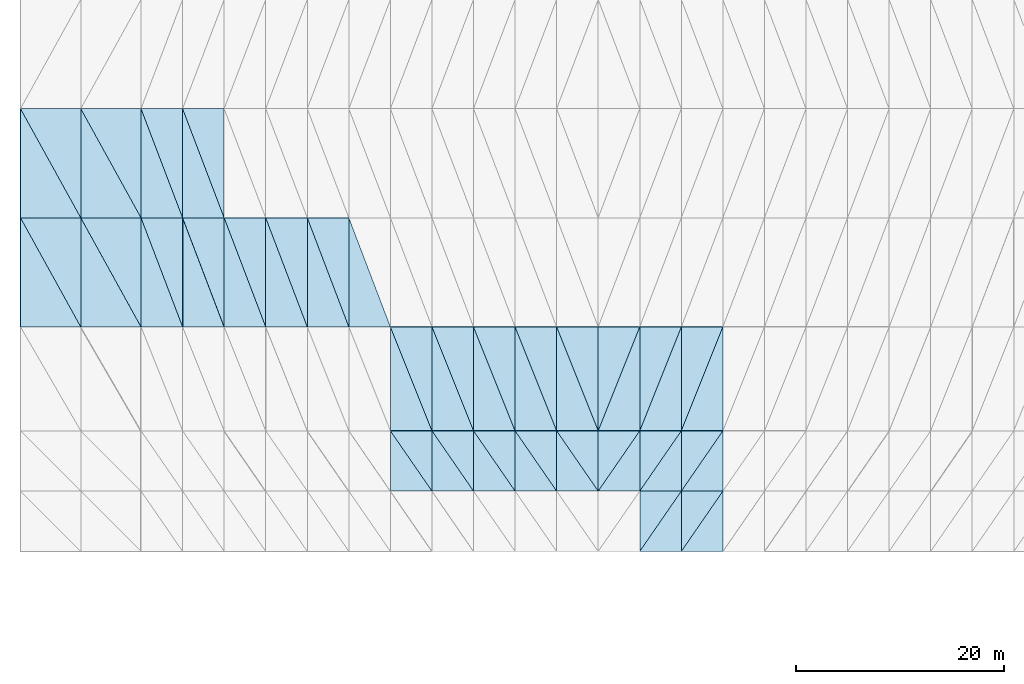
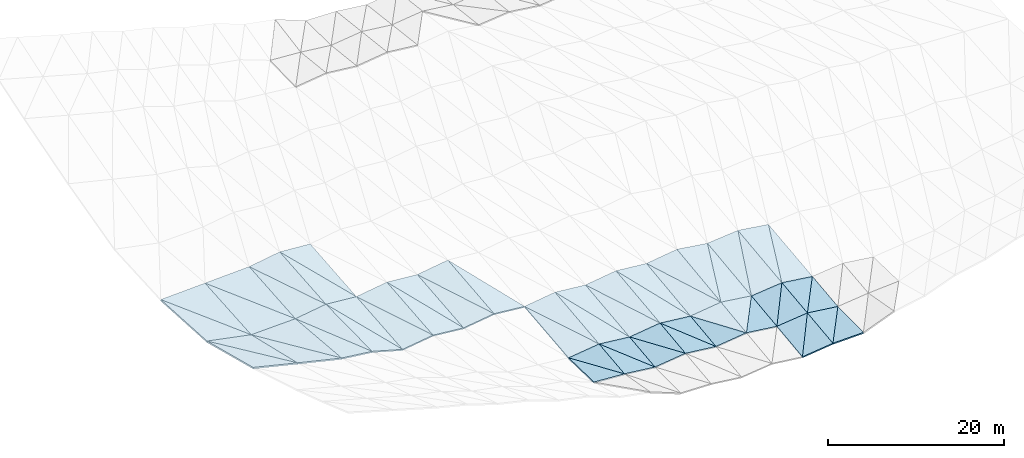
# One storey, part 25 of 42: 59 slabs, 3 elements without a shape of their own.
"""IFC4 building model written with IfcOpenShell, lengths in metres."""

from ifc_helpers import new_model, si_unit, direction, frame, origin, place, context, subcontext, project, spatial, polyline, outline, extrude, material, layer, layer_set, type_object, element, aggregate, save


model = new_model("IFC4")

# Units and contexts
model_context = context("Model", 3, precision=1e-05, world=origin(), true_north=direction((0.0, 1.0)))
body_context = subcontext(model_context, "Body", "Model", "MODEL_VIEW")
ifc_project = project(units=[si_unit("LENGTHUNIT", "METRE"), si_unit("AREAUNIT", "SQUARE_METRE"), si_unit("VOLUMEUNIT", "CUBIC_METRE"), si_unit("PLANEANGLEUNIT", "RADIAN"), si_unit("MASSUNIT", "GRAM", prefix="KILO")], contexts=[model_context])

# Site, building, storey
site_placement = place(None, origin())
site = spatial("IfcSite", under=ifc_project, at=site_placement, CompositionType="ELEMENT")
building_placement = place(site_placement, origin())
building = spatial("IfcBuilding", under=site, at=building_placement, Name="Khorjan Park Terminus", CompositionType="ELEMENT")
storey_placement = place(building_placement, frame((0.0, 0.0, 20.4)))
storey = spatial("IfcBuildingStorey", under=building, at=storey_placement, Name="L04", CompositionType="ELEMENT", Elevation=20.4)

# Roof, slabs
ifc_material = material(Name="Concrete C50/60", Category="concrete")
ifc_layer_1 = layer(ifc_material, 0.18)
ifc_layer_set_1 = layer_set([ifc_layer_1], Name="Concrete C50/60")
roof_type = type_object("IfcRoofType", Name="RF-SHELL-UPPER", PredefinedType="FREEFORM", material=ifc_layer_set_1)
roof_1_placement = place(storey_placement, origin())
roof_1 = element("IfcRoof", 1, at=roof_1_placement, inside=storey, type_object=roof_type, Name="Upper concourse upturned-corner folded concrete shell roof RF-CS1 (1)", PredefinedType="FREEFORM")
ifc_layer_2 = layer(ifc_material, 0.18)
ifc_layer_set_2 = layer_set([ifc_layer_2], Name="Concrete C50/60")
slab_type = type_object("IfcSlabType", Name="SL-SHL-180", PredefinedType="ROOF", material=ifc_layer_set_2)
slab_1_placement = place(storey_placement, frame((36.4, 36.0, 6.479), z_axis=(0.226820611716, 0.243577733356, 0.942985841842), x_axis=(0.972269251704, 0.0, -0.233864281561)))
slab_1 = element("IfcSlab", 2, at=slab_1_placement, type_object=slab_type, Name="Upper concourse folded concrete shell facet RS-18 (7)", PredefinedType="ROOF", context=body_context, shape_type="SweptSolid", body=[
    extrude(outline(polyline([(0.0, 0.0), (5.965425719091645, 0.0), (0.6342867044493465, 10.826066193061948), (0.0, 0.0)])), origin(), (0.0, 0.0, -1.0), 0.18),
])
slab_2_placement = place(storey_placement, frame((42.2, 36.0, 5.0839), z_axis=(0.19057478354, 0.225127210581, 0.955509806823), x_axis=(0.0, 0.973348678928, -0.229330218743)))
slab_2 = element("IfcSlab", 3, at=slab_2_placement, type_object=slab_type, Name="Upper concourse folded concrete shell facet RS-18 (8)", PredefinedType="ROOF", context=body_context, shape_type="SweptSolid", body=[
    extrude(outline(polyline([(0.0, 0.0), (10.787501156894491, 0.0), (10.522211959852694, 5.908282989323799), (0.0, 0.0)])), origin(), (0.0, 0.0, -1.0), 0.18),
])
slab_3_placement = place(storey_placement, frame((36.4, 46.5, 3.7668), z_axis=(0.19527376683, 0.057364160891, 0.979069716125), x_axis=(0.980684589092, 0.0, -0.195595850459)))
slab_3 = element("IfcSlab", 4, at=slab_3_placement, type_object=slab_type, Name="Upper concourse folded concrete shell facet RS-18 (9)", PredefinedType="ROOF", context=body_context, shape_type="SweptSolid", body=[
    extrude(outline(polyline([(0.0, 0.0), (5.914235896546574, 0.0), (0.12033056720235806, 10.517318650425914), (0.0, 0.0)])), origin(), (0.0, 0.0, -1.0), 0.18),
])
slab_4_placement = place(storey_placement, frame((42.2, 46.5, 2.61), z_axis=(-0.043506567638, -0.075417272788, 0.996202496251), x_axis=(0.0, 0.997146653519, 0.075488749989)))
slab_4 = element("IfcSlab", 5, at=slab_4_placement, type_object=slab_type, Name="Upper concourse folded concrete shell facet RS-18 (10)", PredefinedType="ROOF", context=body_context, shape_type="SweptSolid", body=[
    extrude(outline(polyline([(0.0, 0.0), (10.5300458693208, 0.0), (10.51092456894863, 5.805496986983297), (0.0, 0.0)])), origin(), (0.0, 0.0, -1.0), 0.18),
])
slab_5_placement = place(storey_placement, frame((42.2, 36.0, 5.0839), z_axis=(0.222900399784, 0.223560551112, 0.948860417429), x_axis=(0.973499651722, 0.0, -0.228688495771)))
slab_5 = element("IfcSlab", 6, at=slab_5_placement, type_object=slab_type, Name="Upper concourse folded concrete shell facet RS-18 (27)", PredefinedType="ROOF", context=body_context, shape_type="SweptSolid", body=[
    extrude(outline(polyline([(0.0, 0.0), (5.957886055473029, 5.551115123125783e-17), (0.5657524696874001, 10.772655445759074), (0.0, 0.0)])), origin(), (0.0, 0.0, -1.0), 0.18),
])
slab_6_placement = place(storey_placement, frame((48.0, 36.0, 3.7214), z_axis=(-0.032770428651, 0.087284812056, 0.99564424399), x_axis=(0.0, 0.996179286637, -0.087331717462)))
slab_6 = element("IfcSlab", 7, at=slab_6_placement, type_object=slab_type, Name="Upper concourse folded concrete shell facet RS-18 (28)", PredefinedType="ROOF", context=body_context, shape_type="SweptSolid", body=[
    extrude(outline(polyline([(0.0, 0.0), (10.540271355615092, 3.469446951953614e-18), (10.556942980478562, 5.8031168234772235), (0.0, 0.0)])), origin(), (0.0, 0.0, -1.0), 0.18),
])
slab_7_placement = place(storey_placement, frame((42.2, 46.5, 2.61), z_axis=(-0.03280221704, -0.07544812666, 0.996610051495), x_axis=(0.999458780806, 0.0, 0.032895979527)))
slab_7 = element("IfcSlab", 8, at=slab_7_placement, type_object=slab_type, Name="Upper concourse folded concrete shell facet RS-18 (29)", PredefinedType="ROOF", context=body_context, shape_type="SweptSolid", body=[
    extrude(outline(polyline([(0.0, 0.0), (5.803140771168659, 0.0), (0.026149014125921296, 10.530013401656252), (0.0, 0.0)])), origin(), (0.0, 0.0, -1.0), 0.18),
])
slab_8_placement = place(storey_placement, frame((48.0, 46.5, 2.8009), z_axis=(-0.043486393893, -0.081299846148, 0.995740562879), x_axis=(0.0, 0.996683406112, 0.081376827053)))
slab_8 = element("IfcSlab", 9, at=slab_8_placement, type_object=slab_type, Name="Upper concourse folded concrete shell facet RS-18 (30)", PredefinedType="ROOF", context=body_context, shape_type="SweptSolid", body=[
    extrude(outline(polyline([(0.0, 0.0), (10.534940118007315, 6.938893903907228e-18), (10.514327367714714, 5.8054918830815145), (0.0, 0.0)])), origin(), (0.0, 0.0, -1.0), 0.18),
])
slab_9_placement = place(storey_placement, frame((48.0, 36.0, 3.7214), z_axis=(0.117696665444, 0.086724726516, 0.989255435544), x_axis=(0.992996736267, 0.0, -0.118141786697)))
slab_9 = element("IfcSlab", 10, at=slab_9_placement, type_object=slab_type, Name="Upper concourse folded concrete shell facet RS-18 (47)", PredefinedType="ROOF", context=body_context, shape_type="SweptSolid", body=[
    extrude(outline(polyline([(0.0, 0.0), (4.028210621355344, -6.938893903907228e-18), (0.10874951465487423, 10.53971032775865), (0.0, 0.0)])), origin(), (0.0, 0.0, -1.0), 0.18),
])
slab_10_placement = place(storey_placement, frame((52.0, 36.0, 3.2455), z_axis=(-0.150425093278, -0.015448853721, 0.988500695109), x_axis=(0.0, 0.999877896245, 0.015626663121)))
slab_10 = element("IfcSlab", 11, at=slab_10_placement, type_object=slab_type, Name="Upper concourse folded concrete shell facet RS-18 (48)", PredefinedType="ROOF", context=body_context, shape_type="SweptSolid", body=[
    extrude(outline(polyline([(0.0, 0.0), (10.501282245992629, 6.938893903907228e-18), (10.491770296150683, 4.046038211980975), (0.0, 0.0)])), origin(), (0.0, 0.0, -1.0), 0.18),
])
slab_11_placement = place(storey_placement, frame((48.0, 46.5, 2.8009), z_axis=(-0.149955326887, -0.08045668082, 0.985413680872), x_axis=(0.988618677516, 0.0, 0.150443047251)))
slab_11 = element("IfcSlab", 12, at=slab_11_placement, type_object=slab_type, Name="Upper concourse folded concrete shell facet RS-18 (49)", PredefinedType="ROOF", context=body_context, shape_type="SweptSolid", body=[
    extrude(outline(polyline([(0.0, 0.0), (4.046049392926389, -6.938893903907228e-18), (0.1289748244083021, 10.534150596259236), (0.0, 0.0)])), origin(), (0.0, 0.0, -1.0), 0.18),
])
slab_12_placement = place(storey_placement, frame((52.0, 46.5, 3.4096), z_axis=(-0.160231987454, -0.084325600184, 0.983470845196), x_axis=(0.0, 0.99634422641, 0.08542940067)))
slab_12 = element("IfcSlab", 13, at=slab_12_placement, type_object=slab_type, Name="Upper concourse folded concrete shell facet RS-18 (50)", PredefinedType="ROOF", context=body_context, shape_type="SweptSolid", body=[
    extrude(outline(polyline([(0.0, 0.0), (10.538526466731486, 2.7755575615628914e-17), (10.482852126314711, 4.052358974451692), (0.0, 0.0)])), origin(), (0.0, 0.0, -1.0), 0.18),
])
slab_13_placement = place(storey_placement, frame((52.0, 36.0, 3.2455), z_axis=(0.270648038783, -0.015043450542, 0.962560820779), x_axis=(0.962669755627, 0.0, -0.270678668538)))
slab_13 = element("IfcSlab", 14, at=slab_13_placement, type_object=slab_type, Name="Upper concourse folded concrete shell facet RS-18 (67)", PredefinedType="ROOF", context=body_context, shape_type="SweptSolid", body=[
    extrude(outline(polyline([(0.0, 0.0), (4.1551113210117485, 3.469446951953614e-18), (-0.04441836950714013, 10.501188305065783), (0.0, 0.0)])), origin(), (0.0, 0.0, -1.0), 0.18),
])
slab_14_placement = place(storey_placement, frame((56.0, 36.0, 2.1208), z_axis=(0.085687247956, -0.089158022138, 0.992324817097), x_axis=(0.0, 0.995987976977, 0.089487148331)))
slab_14 = element("IfcSlab", 15, at=slab_14_placement, type_object=slab_type, Name="Upper concourse folded concrete shell facet RS-18 (68)", PredefinedType="ROOF", context=body_context, shape_type="SweptSolid", body=[
    extrude(outline(polyline([(0.0, 0.0), (10.542295933998439, 0.0), (10.57320479503213, 4.014765971051065), (0.0, 0.0)])), origin(), (0.0, 0.0, -1.0), 0.18),
])
slab_15_placement = place(storey_placement, frame((52.0, 46.5, 3.4096), z_axis=(0.0857176718, -0.08511497496, 0.992677148815), x_axis=(0.996292558823, 0.0, -0.086029862454)))
slab_15 = element("IfcSlab", 16, at=slab_15_placement, type_object=slab_type, Name="Upper concourse folded concrete shell facet RS-18 (69)", PredefinedType="ROOF", context=body_context, shape_type="SweptSolid", body=[
    extrude(outline(polyline([(0.0, 0.0), (4.014884949783742, 0.0), (-0.0774526851676655, 10.538241844423592), (0.0, 0.0)])), origin(), (0.0, 0.0, -1.0), 0.18),
])
slab_16_placement = place(storey_placement, frame((56.0, 46.5, 3.0642), z_axis=(0.075059454177, -0.089234710484, 0.993178354971), x_axis=(0.0, 0.995987976977, 0.089487148331)))
slab_16 = element("IfcSlab", 17, at=slab_16_placement, type_object=slab_type, Name="Upper concourse folded concrete shell facet RS-18 (70)", PredefinedType="ROOF", context=body_context, shape_type="SweptSolid", body=[
    extrude(outline(polyline([(0.0, 0.0), (10.542295933998439, 0.0), (10.569347898939043, 4.01131567957358), (0.0, 0.0)])), origin(), (0.0, 0.0, -1.0), 0.18),
])
slab_17_placement = place(storey_placement, frame((56.0, 36.0, 2.1208), z_axis=(-0.139456510512, -0.088612697526, 0.986255378446), x_axis=(0.990150474603, 0.0, 0.140007277109)))
slab_17 = element("IfcSlab", 18, at=slab_17_placement, type_object=slab_type, Name="Upper concourse folded concrete shell facet RS-18 (87)", PredefinedType="ROOF", context=body_context, shape_type="SweptSolid", body=[
    extrude(outline(polyline([(0.0, 0.0), (4.039790014344805, 6.938893903907228e-18), (0.13208286522450355, 10.54146847819193), (0.0, 0.0)])), origin(), (0.0, 0.0, -1.0), 0.18),
])
slab_18_placement = place(storey_placement, frame((60.0, 36.0, 2.6864), z_axis=(-0.149798260211, -0.092484989055, 0.984381535807), x_axis=(0.0, 0.995615480577, 0.093540444913)))
slab_18 = element("IfcSlab", 19, at=slab_18_placement, type_object=slab_type, Name="Upper concourse folded concrete shell facet RS-18 (88)", PredefinedType="ROOF", context=body_context, shape_type="SweptSolid", body=[
    extrude(outline(polyline([(0.0, 0.0), (10.54624019496996, 0.0), (10.489302126151236, 4.045648742330356), (0.0, 0.0)])), origin(), (0.0, 0.0, -1.0), 0.18),
])
slab_19_placement = place(storey_placement, frame((60.0, 36.0, 2.6864), z_axis=(0.096250196009, -0.093106152713, 0.990993009105), x_axis=(0.995316476949, 0.0, -0.096670112824)))
slab_19 = element("IfcSlab", 20, at=slab_19_placement, type_object=slab_type, Name="Upper concourse folded concrete shell facet RS-18 (107)", PredefinedType="ROOF", context=body_context, shape_type="SweptSolid", body=[
    extrude(outline(polyline([(0.0, 0.0), (4.01882224662898, 0.0), (-0.09536506630057547, 10.545809013732873), (0.0, 0.0)])), origin(), (0.0, 0.0, -1.0), 0.18),
])
slab_20_placement = place(storey_placement, frame((64.0, 36.0, 2.2979), z_axis=(0.08562224169, -0.097230716678, 0.991571994089), x_axis=(0.0, 0.995226792439, 0.097589095761)))
slab_20 = element("IfcSlab", 21, at=slab_20_placement, type_object=slab_type, Name="Upper concourse folded concrete shell facet RS-18 (108)", PredefinedType="ROOF", context=body_context, shape_type="SweptSolid", body=[
    extrude(outline(polyline([(0.0, 0.0), (10.550359053605714, 0.0), (10.584066327281718, 4.014743451293163), (0.0, 0.0)])), origin(), (0.0, 0.0, -1.0), 0.18),
])
slab_21_placement = place(storey_placement, frame((64.0, 36.0, 2.2979), z_axis=(-0.139352001218, -0.096636910119, 0.985516274528), x_axis=(0.990150474603, 0.0, 0.140007277109)))
slab_21 = element("IfcSlab", 22, at=slab_21_placement, type_object=slab_type, Name="Upper concourse folded concrete shell facet RS-18 (127)", PredefinedType="ROOF", context=body_context, shape_type="SweptSolid", body=[
    extrude(outline(polyline([(0.0, 0.0), (4.039790014344805, 0.0), (0.14415149251128745, 10.549374223488652), (0.0, 0.0)])), origin(), (0.0, 0.0, -1.0), 0.18),
])
slab_22_placement = place(storey_placement, frame((68.0, 36.0, 2.8635), z_axis=(-0.149657647488, -0.10047903397, 0.983619109351), x_axis=(0.0, 0.994822927965, 0.101623530718)))
slab_22 = element("IfcSlab", 23, at=slab_22_placement, type_object=slab_type, Name="Upper concourse folded concrete shell facet RS-18 (128)", PredefinedType="ROOF", context=body_context, shape_type="SweptSolid", body=[
    extrude(outline(polyline([(0.0, 0.0), (10.554642142678263, 0.0), (10.492794061883517, 4.045561614275823), (0.0, 0.0)])), origin(), (0.0, 0.0, -1.0), 0.18),
])
aggregate(roof_1, [slab_1, slab_2, slab_3, slab_4, slab_5, slab_6, slab_7, slab_8, slab_9, slab_10, slab_11, slab_12, slab_13, slab_14, slab_15, slab_16, slab_17, slab_18, slab_19, slab_20, slab_21, slab_22])

roof_2_placement = place(storey_placement, origin())
roof_2 = element("IfcRoof", 24, at=roof_2_placement, inside=storey, type_object=roof_type, Name="Upper concourse upturned-corner folded concrete shell roof RF-CS1 (2)", PredefinedType="FREEFORM")
slab_23_placement = place(storey_placement, frame((68.0, 36.0, 2.8635), z_axis=(0.096149759296, -0.101152696602, 0.990213792955), x_axis=(0.995318870818, 0.0, -0.096645462356)))
slab_23 = element("IfcSlab", 25, at=slab_23_placement, type_object=slab_type, Name="Upper concourse folded concrete shell facet RS-18 (147)", PredefinedType="ROOF", context=body_context, shape_type="SweptSolid", body=[
    extrude(outline(polyline([(0.0, 0.0), (4.01881258085022, -6.938893903907228e-18), (-0.1036619229234782, 10.55413307504391), (0.0, 0.0)])), origin(), (0.0, 0.0, -1.0), 0.18),
])
slab_24_placement = place(storey_placement, frame((72.0, 20.2, 1.5617), z_axis=(0.065984038894, 0.02564240154, 0.997491139737), x_axis=(0.9978192431, 0.0, -0.066005742931)))
slab_24 = element("IfcSlab", 26, at=slab_24_placement, type_object=slab_type, Name="Upper concourse folded concrete shell facet RS-18 (163)", PredefinedType="ROOF", context=body_context, shape_type="SweptSolid", body=[
    extrude(outline(polyline([(0.0, 0.0), (4.008742091978481, 0.0), (0.009841456271019242, 5.801907785869961), (0.0, 0.0)])), origin(), (0.0, 0.0, -1.0), 0.18),
])
slab_25_placement = place(storey_placement, frame((76.0, 20.2, 1.2971), z_axis=(-0.129240848662, -0.108759269115, 0.985630876352), x_axis=(0.0, 0.993967046792, 0.109679122405)))
slab_25 = element("IfcSlab", 27, at=slab_25_placement, type_object=slab_type, Name="Upper concourse folded concrete shell facet RS-18 (164)", PredefinedType="ROOF", context=body_context, shape_type="SweptSolid", body=[
    extrude(outline(polyline([(0.0, 0.0), (5.835203509732973, 1.3877787807814457e-17), (5.777676810031738, 4.033830800718033), (0.0, 0.0)])), origin(), (0.0, 0.0, -1.0), 0.18),
])
slab_26_placement = place(storey_placement, frame((72.0, 26.0, 1.4126), z_axis=(-0.129296562472, -0.104768425264, 0.986055767186), x_axis=(0.9915124119, 0.0, 0.13001206501)))
slab_26 = element("IfcSlab", 28, at=slab_26_placement, type_object=slab_type, Name="Upper concourse folded concrete shell facet RS-18 (165)", PredefinedType="ROOF", context=body_context, shape_type="SweptSolid", body=[
    extrude(outline(polyline([(0.0, 0.0), (4.034240975697907, -6.938893903907228e-18), (0.13813781907353526, 10.055338094412422), (0.0, 0.0)])), origin(), (0.0, 0.0, -1.0), 0.18),
])
slab_27_placement = place(storey_placement, frame((76.0, 26.0, 1.9371), z_axis=(-0.139178804369, -0.108626399223, 0.984291402892), x_axis=(0.0, 0.993965402604, 0.109694021831)))
slab_27 = element("IfcSlab", 29, at=slab_27_placement, type_object=slab_type, Name="Upper concourse folded concrete shell facet RS-18 (166)", PredefinedType="ROOF", context=body_context, shape_type="SweptSolid", body=[
    extrude(outline(polyline([(0.0, 0.0), (10.060712348536757, 0.0), (9.998669409788908, 4.039313559721693), (0.0, 0.0)])), origin(), (0.0, 0.0, -1.0), 0.18),
])
slab_28_placement = place(storey_placement, frame((76.0, 20.2, 1.2971), z_axis=(0.111909060679, -0.108990167749, 0.987723395224), x_axis=(0.993642695952, 0.0, -0.112579717451)))
slab_28 = element("IfcSlab", 30, at=slab_28_placement, type_object=slab_type, Name="Upper concourse folded concrete shell facet RS-18 (183)", PredefinedType="ROOF", context=body_context, shape_type="SweptSolid", body=[
    extrude(outline(polyline([(0.0, 0.0), (4.025591911756581, 0.0), (-0.07205101916886458, 5.834758662587232), (0.0, 0.0)])), origin(), (0.0, 0.0, -1.0), 0.18),
])
slab_29_placement = place(storey_placement, frame((80.0, 20.2, 0.8439), z_axis=(0.106052306747, -0.113064775579, 0.987911567276), x_axis=(0.0, 0.993514439867, 0.113706014687)))
slab_29 = element("IfcSlab", 31, at=slab_29_placement, type_object=slab_type, Name="Upper concourse folded concrete shell facet RS-18 (184)", PredefinedType="ROOF", context=body_context, shape_type="SweptSolid", body=[
    extrude(outline(polyline([(0.0, 0.0), (5.837861803777133, 0.0), (5.88668716648366, 4.022685725228429), (0.0, 0.0)])), origin(), (0.0, 0.0, -1.0), 0.18),
])
slab_30_placement = place(storey_placement, frame((76.0, 26.0, 1.9371), z_axis=(0.106099902811, -0.109074851181, 0.988354940021), x_axis=(0.994287316425, 0.0, -0.106736743418)))
slab_30 = element("IfcSlab", 32, at=slab_30_placement, type_object=slab_type, Name="Upper concourse folded concrete shell facet RS-18 (185)", PredefinedType="ROOF", context=body_context, shape_type="SweptSolid", body=[
    extrude(outline(polyline([(0.0, 0.0), (4.022982023325484, -6.938893903907228e-18), (-0.11779467003640176, 10.06002273236552), (0.0, 0.0)])), origin(), (0.0, 0.0, -1.0), 0.18),
])
slab_31_placement = place(storey_placement, frame((80.0, 26.0, 1.5077), z_axis=(0.096024334606, -0.113192022029, 0.988922086573), x_axis=(0.0, 0.993513123933, 0.113717512165)))
slab_31 = element("IfcSlab", 33, at=slab_31_placement, type_object=slab_type, Name="Upper concourse folded concrete shell facet RS-18 (186)", PredefinedType="ROOF", context=body_context, shape_type="SweptSolid", body=[
    extrude(outline(polyline([(0.0, 0.0), (10.065292303753527, 0.0), (10.109460185478554, 4.018569864793186), (0.0, 0.0)])), origin(), (0.0, 0.0, -1.0), 0.18),
])
slab_32_placement = place(storey_placement, frame((80.0, 20.2, 0.8439), z_axis=(-0.123412470972, -0.112836784682, 0.985919480501), x_axis=(0.992256490306, 0.0, 0.124205706174)))
slab_32 = element("IfcSlab", 34, at=slab_32_placement, type_object=slab_type, Name="Upper concourse folded concrete shell facet RS-18 (203)", PredefinedType="ROOF", context=body_context, shape_type="SweptSolid", body=[
    extrude(outline(polyline([(0.0, 0.0), (4.031215758304187, 0.0), (0.08244774775831253, 5.837279572616819), (0.0, 0.0)])), origin(), (0.0, 0.0, -1.0), 0.18),
])
slab_33_placement = place(storey_placement, frame((84.0, 20.2, 1.3446), z_axis=(-0.129147033665, -0.116758140917, 0.984727668051), x_axis=(0.0, 0.993043959027, 0.117744194935)))
slab_33 = element("IfcSlab", 35, at=slab_33_placement, type_object=slab_type, Name="Upper concourse folded concrete shell facet RS-18 (204)", PredefinedType="ROOF", context=body_context, shape_type="SweptSolid", body=[
    extrude(outline(polyline([(0.0, 0.0), (5.840627645210746, 0.0), (5.778859040547884, 4.0337810797659825), (0.0, 0.0)])), origin(), (0.0, 0.0, -1.0), 0.18),
])
slab_34_placement = place(storey_placement, frame((80.0, 26.0, 1.5077), z_axis=(-0.129207030961, -0.112764290994, 0.985185138858), x_axis=(0.991509216249, 0.0, 0.130036433711)))
slab_34 = element("IfcSlab", 36, at=slab_34_placement, type_object=slab_type, Name="Upper concourse folded concrete shell facet RS-18 (205)", PredefinedType="ROOF", context=body_context, shape_type="SweptSolid", body=[
    extrude(outline(polyline([(0.0, 0.0), (4.0342539781228455, -6.938893903907228e-18), (0.14883970202575075, 10.064191766013845), (0.0, 0.0)])), origin(), (0.0, 0.0, -1.0), 0.18),
])
slab_35_placement = place(storey_placement, frame((84.0, 26.0, 2.0323), z_axis=(-0.139052419173, -0.116591618226, 0.983397589626), x_axis=(0.0, 0.993044999991, 0.117735415199)))
slab_35 = element("IfcSlab", 37, at=slab_35_placement, type_object=slab_type, Name="Upper concourse folded concrete shell facet RS-18 (206)", PredefinedType="ROOF", context=body_context, shape_type="SweptSolid", body=[
    extrude(outline(polyline([(0.0, 0.0), (10.070037108173931, -2.7755575615628914e-17), (10.003445957337389, 4.039241138955467), (0.0, 0.0)])), origin(), (0.0, 0.0, -1.0), 0.18),
])
slab_36_placement = place(storey_placement, frame((84.0, 20.2, 1.3446), z_axis=(0.111806431574, -0.117005939363, 0.98681757788), x_axis=(0.993642695952, 0.0, -0.112579717451)))
slab_36 = element("IfcSlab", 38, at=slab_36_placement, type_object=slab_type, Name="Upper concourse folded concrete shell facet RS-18 (223)", PredefinedType="ROOF", context=body_context, shape_type="SweptSolid", body=[
    extrude(outline(polyline([(0.0, 0.0), (4.02559191175658, 0.0), (-0.0774210716912943, 5.840114490971747), (0.0, 0.0)])), origin(), (0.0, 0.0, -1.0), 0.18),
])
slab_37_placement = place(storey_placement, frame((88.0, 20.2, 0.8914), z_axis=(0.105951528521, -0.121074333942, 0.986972785473), x_axis=(0.0, 0.992559610072, 0.121759683201)))
slab_37 = element("IfcSlab", 39, at=slab_37_placement, type_object=slab_type, Name="Upper concourse folded concrete shell facet RS-18 (224)", PredefinedType="ROOF", context=body_context, shape_type="SweptSolid", body=[
    extrude(outline(polyline([(0.0, 0.0), (5.843477753016607, 0.0), (5.895761360983161, 4.0226422640272155), (0.0, 0.0)])), origin(), (0.0, 0.0, -1.0), 0.18),
])
slab_38_placement = place(storey_placement, frame((84.0, 26.0, 2.0323), z_axis=(0.106002759772, -0.117072074509, 0.987450021161), x_axis=(0.994287316425, 0.0, -0.106736743418)))
slab_38 = element("IfcSlab", 40, at=slab_38_placement, type_object=slab_type, Name="Upper concourse folded concrete shell facet RS-18 (225)", PredefinedType="ROOF", context=body_context, shape_type="SweptSolid", body=[
    extrude(outline(polyline([(0.0, 0.0), (4.022982023325484, 0.0), (-0.12654708299669953, 10.069241937493857), (0.0, 0.0)])), origin(), (0.0, 0.0, -1.0), 0.18),
])
slab_39_placement = place(storey_placement, frame((88.0, 26.0, 1.6029), z_axis=(0.095957754458, -0.12117599572, 0.987982027883), x_axis=(0.0, 0.992562298474, 0.121737765908)))
slab_39 = element("IfcSlab", 41, at=slab_39_placement, type_object=slab_type, Name="Upper concourse folded concrete shell facet RS-18 (226)", PredefinedType="ROOF", context=body_context, shape_type="SweptSolid", body=[
    extrude(outline(polyline([(0.0, 0.0), (10.07493435462485, -1.3877787807814457e-17), (10.122229476680037, 4.018543942951202), (0.0, 0.0)])), origin(), (0.0, 0.0, -1.0), 0.18),
])
slab_40_placement = place(storey_placement, frame((88.0, 20.2, 0.8914), z_axis=(-0.123319917941, -0.120830287561, 0.984983370137), x_axis=(0.992253432775, 0.0, 0.124230129783)))
slab_40 = element("IfcSlab", 42, at=slab_40_placement, type_object=slab_type, Name="Upper concourse folded concrete shell facet RS-18 (243)", PredefinedType="ROOF", context=body_context, shape_type="SweptSolid", body=[
    extrude(outline(polyline([(0.0, 0.0), (4.031228180095987, 0.0), (0.08838973734092061, 5.842809213412056), (0.0, 0.0)])), origin(), (0.0, 0.0, -1.0), 0.18),
])
slab_41_placement = place(storey_placement, frame((92.0, 20.2, 1.3922), z_axis=(-0.128997227002, -0.124701701183, 0.983772941866), x_axis=(0.0, 0.992061662374, 0.125752367962)))
slab_41 = element("IfcSlab", 43, at=slab_41_placement, type_object=slab_type, Name="Upper concourse folded concrete shell facet RS-18 (244)", PredefinedType="ROOF", context=body_context, shape_type="SweptSolid", body=[
    extrude(outline(polyline([(0.0, 0.0), (5.846410782693944, -2.7755575615628914e-17), (5.780453665698084, 4.03370176249033), (0.0, 0.0)])), origin(), (0.0, 0.0, -1.0), 0.18),
])
slab_42_placement = place(storey_placement, frame((88.0, 26.0, 1.6029), z_axis=(-0.12906124039, -0.120719627331, 0.984261127855), x_axis=(0.9915124119, 0.0, 0.13001206501)))
slab_42 = element("IfcSlab", 44, at=slab_42_placement, type_object=slab_type, Name="Upper concourse folded concrete shell facet RS-18 (245)", PredefinedType="ROOF", context=body_context, shape_type="SweptSolid", body=[
    extrude(outline(polyline([(0.0, 0.0), (4.034240975697907, 1.3877787807814457e-17), (0.15945979773523827, 10.073672360311615), (0.0, 0.0)])), origin(), (0.0, 0.0, -1.0), 0.18),
])
slab_43_placement = place(storey_placement, frame((92.0, 26.0, 2.1274), z_axis=(-0.138917361099, -0.124534403769, 0.982442440585), x_axis=(0.0, 0.992061491664, 0.125753714683)))
slab_43 = element("IfcSlab", 45, at=slab_43_placement, type_object=slab_type, Name="Upper concourse folded concrete shell facet RS-18 (246)", PredefinedType="ROOF", context=body_context, shape_type="SweptSolid", body=[
    extrude(outline(polyline([(0.0, 0.0), (10.080020325376333, 2.7755575615628914e-17), (10.008894024351415, 4.039163825509249), (0.0, 0.0)])), origin(), (0.0, 0.0, -1.0), 0.18),
])
slab_44_placement = place(storey_placement, frame((92.0, 20.2, 1.3922), z_axis=(0.123319917941, -0.120830287561, 0.984983370137), x_axis=(0.992253432775, 0.0, -0.124230129783)))
slab_44 = element("IfcSlab", 46, at=slab_44_placement, type_object=slab_type, Name="Upper concourse folded concrete shell facet RS-18 (263)", PredefinedType="ROOF", context=body_context, shape_type="SweptSolid", body=[
    extrude(outline(polyline([(0.0, 0.0), (4.031228180095987, 0.0), (3.942838442755066, 5.842809213412056), (0.0, 0.0)])), origin(), (0.0, 0.0, -1.0), 0.18),
])
slab_45_placement = place(storey_placement, frame((92.0, 20.2, 1.3922), z_axis=(0.128997227002, -0.124701701183, 0.983772941866), x_axis=(0.567479255945, 0.82284492112, 0.029891969807)))
slab_45 = element("IfcSlab", 47, at=slab_45_placement, type_object=slab_type, Name="Upper concourse folded concrete shell facet RS-18 (264)", PredefinedType="ROOF", context=body_context, shape_type="SweptSolid", body=[
    extrude(outline(polyline([(0.0, 0.0), (7.0487158043149964, 8.187894806610529e-16), (4.794477118698963, 3.3456700671572657), (0.0, 0.0)])), origin(), (0.0, 0.0, -1.0), 0.18),
])
slab_46_placement = place(storey_placement, frame((92.0, 26.0, 2.1274), z_axis=(0.12906124039, -0.120719627331, 0.984261127855), x_axis=(0.9915124119, 0.0, -0.13001206501)))
slab_46 = element("IfcSlab", 48, at=slab_46_placement, type_object=slab_type, Name="Upper concourse folded concrete shell facet RS-18 (265)", PredefinedType="ROOF", context=body_context, shape_type="SweptSolid", body=[
    extrude(outline(polyline([(0.0, 0.0), (4.034240975697907, -1.3877787807814457e-17), (3.874781177962669, 10.073672360311615), (0.0, 0.0)])), origin(), (0.0, 0.0, -1.0), 0.18),
])
slab_47_placement = place(storey_placement, frame((92.0, 26.0, 2.1274), z_axis=(0.138917361099, -0.124534403769, 0.982442440585), x_axis=(0.370604289654, 0.926510724135, 0.065041052834)))
slab_47 = element("IfcSlab", 49, at=slab_47_placement, type_object=slab_type, Name="Upper concourse folded concrete shell facet RS-18 (266)", PredefinedType="ROOF", context=body_context, shape_type="SweptSolid", body=[
    extrude(outline(polyline([(0.0, 0.0), (10.793183219050812, -2.7755575615628914e-16), (9.347553279918529, 3.772274836101473), (0.0, 0.0)])), origin(), (0.0, 0.0, -1.0), 0.18),
])
aggregate(roof_2, [slab_23, slab_24, slab_25, slab_26, slab_27, slab_28, slab_29, slab_30, slab_31, slab_32, slab_33, slab_34, slab_35, slab_36, slab_37, slab_38, slab_39, slab_40, slab_41, slab_42, slab_43, slab_44, slab_45, slab_46, slab_47])

roof_3_placement = place(storey_placement, origin())
roof_3 = element("IfcRoof", 50, at=roof_3_placement, inside=storey, type_object=roof_type, Name="Upper concourse upturned-corner folded concrete shell roof RF-CS1 (3)", PredefinedType="FREEFORM")
slab_48_placement = place(storey_placement, frame((96.0, 14.4, 0.18), z_axis=(-0.117599028384, -0.11691041989, 0.986155374292), x_axis=(0.99296466527, 0.0, 0.118411036333)))
slab_48 = element("IfcSlab", 51, at=slab_48_placement, type_object=slab_type, Name="Upper concourse folded concrete shell facet RS-18 (281)", PredefinedType="ROOF", context=body_context, shape_type="SweptSolid", body=[
    extrude(outline(polyline([(0.0, 0.0), (4.028340725410402, 6.938893903907228e-18), (4.109760153993267, 5.840048341978791), (0.0, 0.0)])), origin(), (0.0, 0.0, -1.0), 0.18),
])
slab_49_placement = place(storey_placement, frame((96.0, 14.4, 0.18), z_axis=(-0.111752810051, -0.120980231108, 0.986344307596), x_axis=(0.560132390071, 0.812191965603, 0.163082545369)))
slab_49 = element("IfcSlab", 52, at=slab_49_placement, type_object=slab_type, Name="Upper concourse folded concrete shell facet RS-18 (282)", PredefinedType="ROOF", context=body_context, shape_type="SweptSolid", body=[
    extrude(outline(polyline([(0.0, 0.0), (7.141168893115467, 1.700029006457271e-16), (4.826730323270994, 3.293746248030693), (0.0, 0.0)])), origin(), (0.0, 0.0, -1.0), 0.18),
])
slab_50_placement = place(storey_placement, frame((96.0, 20.2, 0.8914), z_axis=(-0.111806431574, -0.117005939363, 0.98681757788), x_axis=(0.993642695952, 0.0, 0.112579717451)))
slab_50 = element("IfcSlab", 53, at=slab_50_placement, type_object=slab_type, Name="Upper concourse folded concrete shell facet RS-18 (283)", PredefinedType="ROOF", context=body_context, shape_type="SweptSolid", body=[
    extrude(outline(polyline([(0.0, 0.0), (4.02559191175658, 0.0), (4.103012983447874, 5.840114490971747), (0.0, 0.0)])), origin(), (0.0, 0.0, -1.0), 0.18),
])
slab_51_placement = place(storey_placement, frame((96.0, 20.2, 0.8914), z_axis=(-0.105951528521, -0.121074333942, 0.986972785473), x_axis=(0.560432710394, 0.812627430071, 0.159849419822)))
slab_51 = element("IfcSlab", 54, at=slab_51_placement, type_object=slab_type, Name="Upper concourse folded concrete shell facet RS-18 (284)", PredefinedType="ROOF", context=body_context, shape_type="SweptSolid", body=[
    extrude(outline(polyline([(0.0, 0.0), (7.137342139059892, 1.4224732503009818e-16), (4.826971956613796, 3.2934137274360173), (0.0, 0.0)])), origin(), (0.0, 0.0, -1.0), 0.18),
])
slab_52_placement = place(storey_placement, frame((96.0, 26.0, 1.6029), z_axis=(-0.106002759772, -0.117072074509, 0.987450021161), x_axis=(0.994287316425, 0.0, 0.106736743418)))
slab_52 = element("IfcSlab", 55, at=slab_52_placement, type_object=slab_type, Name="Upper concourse folded concrete shell facet RS-18 (285)", PredefinedType="ROOF", context=body_context, shape_type="SweptSolid", body=[
    extrude(outline(polyline([(0.0, 0.0), (4.022982023325484, 6.938893903907228e-18), (4.149529106322183, 10.069241937493857), (0.0, 0.0)])), origin(), (0.0, 0.0, -1.0), 0.18),
])
slab_53_placement = place(storey_placement, frame((96.0, 26.0, 1.6029), z_axis=(-0.095957754458, -0.12117599572, 0.987982027883), x_axis=(0.367284489181, 0.918211222954, 0.148291112507)))
slab_53 = element("IfcSlab", 56, at=slab_53_placement, type_object=slab_type, Name="Upper concourse folded concrete shell facet RS-18 (286)", PredefinedType="ROOF", context=body_context, shape_type="SweptSolid", body=[
    extrude(outline(polyline([(0.0, 0.0), (10.890740332961759, -7.91033905045424e-16), (9.36399127902686, 3.7175219671588886), (0.0, 0.0)])), origin(), (0.0, 0.0, -1.0), 0.18),
])
slab_54_placement = place(storey_placement, frame((100.0, 14.4, 0.657), z_axis=(-0.02546400511, -0.014648847311, 0.999568404721), x_axis=(0.999675670041, 0.0, 0.025466737694)))
slab_54 = element("IfcSlab", 57, at=slab_54_placement, type_object=slab_type, Name="Upper concourse folded concrete shell facet RS-18 (301)", PredefinedType="ROOF", context=body_context, shape_type="SweptSolid", body=[
    extrude(outline(polyline([(0.0, 0.0), (4.001297740733623, -2.168404344971009e-19), (4.003462413437638, 5.8006224074828445), (0.0, 0.0)])), origin(), (0.0, 0.0, -1.0), 0.18),
])
slab_55_placement = place(storey_placement, frame((100.0, 14.4, 0.657), z_axis=(0.123355163104, -0.116828178689, 0.985461658513), x_axis=(0.567533304659, 0.822923291756, 0.02651799366)))
slab_55 = element("IfcSlab", 58, at=slab_55_placement, type_object=slab_type, Name="Upper concourse folded concrete shell facet RS-18 (302)", PredefinedType="ROOF", context=body_context, shape_type="SweptSolid", body=[
    extrude(outline(polyline([(0.0, 0.0), (7.048044523837801, -3.7470027081099033e-16), (4.79118886462601, 3.3402549339060514), (0.0, 0.0)])), origin(), (0.0, 0.0, -1.0), 0.18),
])
slab_56_placement = place(storey_placement, frame((100.0, 20.2, 1.3446), z_axis=(0.123412470972, -0.112836784682, 0.985919480501), x_axis=(0.992256490306, 0.0, -0.124205706174)))
slab_56 = element("IfcSlab", 59, at=slab_56_placement, type_object=slab_type, Name="Upper concourse folded concrete shell facet RS-18 (303)", PredefinedType="ROOF", context=body_context, shape_type="SweptSolid", body=[
    extrude(outline(polyline([(0.0, 0.0), (4.031215758304187, 0.0), (3.9487680105458747, 5.837279572616819), (0.0, 0.0)])), origin(), (0.0, 0.0, -1.0), 0.18),
])
slab_57_placement = place(storey_placement, frame((100.0, 20.2, 1.3446), z_axis=(0.129147033665, -0.116758140917, 0.984727668051), x_axis=(0.567580895536, 0.822992298527, 0.023143111015)))
slab_57 = element("IfcSlab", 60, at=slab_57_placement, type_object=slab_type, Name="Upper concourse folded concrete shell facet RS-18 (304)", PredefinedType="ROOF", context=body_context, shape_type="SweptSolid", body=[
    extrude(outline(polyline([(0.0, 0.0), (7.047453555008363, 2.6020852139652106e-16), (4.789270848903091, 3.3430249813375723), (0.0, 0.0)])), origin(), (0.0, 0.0, -1.0), 0.18),
])
slab_58_placement = place(storey_placement, frame((100.0, 26.0, 2.0323), z_axis=(0.129207030961, -0.112764290994, 0.985185138858), x_axis=(0.991509216249, 0.0, -0.130036433711)))
slab_58 = element("IfcSlab", 61, at=slab_58_placement, type_object=slab_type, Name="Upper concourse folded concrete shell facet RS-18 (305)", PredefinedType="ROOF", context=body_context, shape_type="SweptSolid", body=[
    extrude(outline(polyline([(0.0, 0.0), (4.0342539781228455, 0.0), (3.885414276097095, 10.064191766013845), (0.0, 0.0)])), origin(), (0.0, 0.0, -1.0), 0.18),
])
slab_59_placement = place(storey_placement, frame((100.0, 26.0, 2.0323), z_axis=(0.139052419173, -0.116591618226, 0.983397589626), x_axis=(0.370776845584, 0.926942113959, 0.057470411065)))
slab_59 = element("IfcSlab", 62, at=slab_59_placement, type_object=slab_type, Name="Upper concourse folded concrete shell facet RS-18 (306)", PredefinedType="ROOF", context=body_context, shape_type="SweptSolid", body=[
    extrude(outline(polyline([(0.0, 0.0), (10.7881601767864, 4.163336342344337e-16), (9.337558058950433, 3.770365613004899), (0.0, 0.0)])), origin(), (0.0, 0.0, -1.0), 0.18),
])
aggregate(roof_3, [slab_48, slab_49, slab_50, slab_51, slab_52, slab_53, slab_54, slab_55, slab_56, slab_57, slab_58, slab_59])

save(model, "model.ifc")
